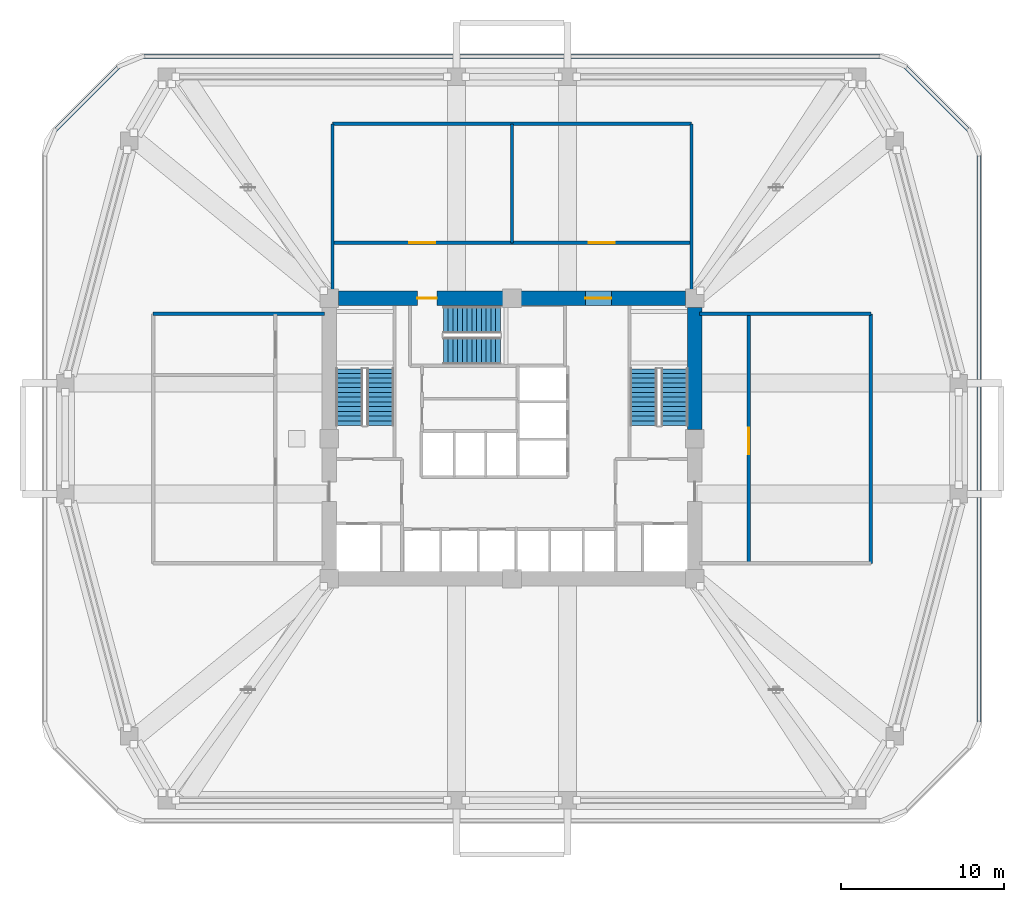
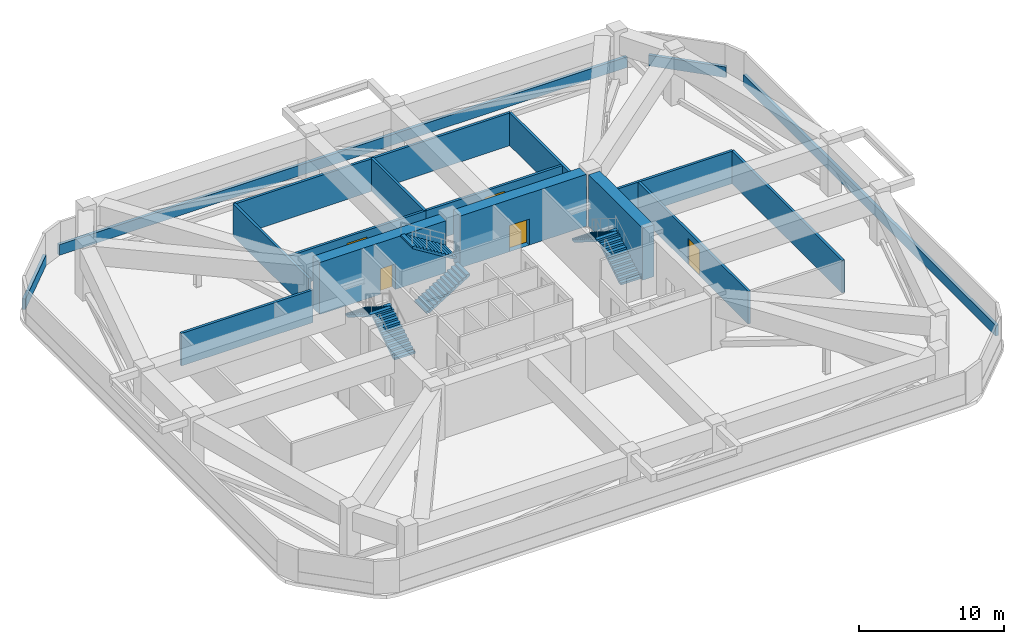
# One storey, part 6 of 10: 17 walls, 6 stair flights, 5 doors, 5 openings, 3 elements without a shape of their own.
"""IFC4 building model written with IfcOpenShell, lengths in metres."""

from ifc_helpers import new_model, si_unit, derived_unit, direction, frame, frame_2d, origin, place, context, subcontext, project, spatial, polyline, rectangle, outline, extrude, material, layer, layer_set, type_object, element, fill, aggregate, save


model = new_model("IFC4")

# Units and contexts
model_context = context("Model", 3, precision=1e-05, world=origin(), true_north=direction((0.0, 1.0)))
body_context = subcontext(model_context, "Body", "Model", "MODEL_VIEW")
ifc_project = project(units=[si_unit("LENGTHUNIT", "METRE"), si_unit("AREAUNIT", "SQUARE_METRE"), si_unit("VOLUMEUNIT", "CUBIC_METRE"), si_unit("PLANEANGLEUNIT", "RADIAN"), si_unit("MASSUNIT", "GRAM", prefix="KILO"), derived_unit("THERMALTRANSMITTANCEUNIT", [(si_unit("POWERUNIT", "WATT"), 1), (si_unit("LENGTHUNIT", "METRE"), -2), (si_unit("THERMODYNAMICTEMPERATUREUNIT", "KELVIN"), -1)])], contexts=[model_context])

# Site, building, storey
site_placement = place(None, origin())
site = spatial("IfcSite", under=ifc_project, at=site_placement, CompositionType="ELEMENT")
building_placement = place(site_placement, origin())
building = spatial("IfcBuilding", under=site, at=building_placement, Name="Koralith Skygarden Medical Center", CompositionType="ELEMENT")
storey_placement = place(building_placement, frame((0.0, 0.0, 70.739990234375)))
storey = spatial("IfcBuildingStorey", under=building, at=storey_placement, Name="L18", CompositionType="ELEMENT", Elevation=70.739990234375)

# Walls
ifc_material_1 = material(Name="Gypsum Board Partition")
ifc_layer_1 = layer(ifc_material_1, 0.199951171875)
ifc_layer_set_1 = layer_set([ifc_layer_1], Name="Gypsum Board Partition")
wall_type_1 = type_object("IfcWallType", Name="Fire Shaft Wall 200", PredefinedType="SOLIDWALL", material=ifc_layer_set_1)
for number, where, z_axis, x_axis, name in (
    (1, (26.0, 34.800048828125, 0.0), (0.0, 0.0, 1.0), (0.0, 1.0, 0.0), "L18 Fire Shaft Wall 200 W-PL-L18-NC-W"),
    (2, (48.0, 34.800048828125, 0.0), (0.0, 0.0, 1.0), (0.0, 1.0, 0.0), "L18 Fire Shaft Wall 200 W-PL-L18-NC-E"),
):
    element("IfcWall", number, at=place(storey_placement, frame(where, z_axis=z_axis, x_axis=x_axis)), inside=storey, type_object=wall_type_1, Name=name, PredefinedType="SOLIDWALL", context=body_context, shape_type="SweptSolid", body=[
        extrude(rectangle(XDim=10.39990234375, YDim=0.199951171875, at=frame_2d((5.199951171875, 0.0))), origin(), (0.0, 0.0, 1.0), 2.75),
    ])
wall_1_placement = place(storey_placement, frame((26.0, 45.199951171875, 0.0), z_axis=(0.0, 0.0, 1.0), x_axis=(1.0, 0.0, 0.0)))
element("IfcWall", 3, at=wall_1_placement, inside=storey, type_object=wall_type_1, Name="L18 Fire Shaft Wall 200 W-PL-L18-NP-N", PredefinedType="SOLIDWALL", context=body_context, shape_type="SweptSolid", body=[
    extrude(rectangle(XDim=22.0, YDim=0.199951171875, at=frame_2d((11.0, 0.0))), origin(), (0.0, 0.0, 1.0), 2.75),
])
wall_2_placement = place(storey_placement, frame((37.0, 37.89990234375, 0.0), z_axis=(0.0, 0.0, 1.0), x_axis=(0.0, 1.0, 0.0)))
element("IfcWall", 4, at=wall_2_placement, inside=storey, type_object=wall_type_1, Name="L18 Fire Shaft Wall 200 W-PL-L18-NP-M", PredefinedType="SOLIDWALL", context=body_context, shape_type="SweptSolid", body=[
    extrude(rectangle(XDim=7.300048828125, YDim=0.199951171875, at=frame_2d((3.64990234375, 0.0))), origin(), (0.0, 0.0, 1.0), 2.75),
])

# Wall, opening, door
wall_3_placement = place(storey_placement, frame((26.0, 37.89990234375, 0.0), z_axis=(0.0, 0.0, 1.0), x_axis=(1.0, 0.0, 0.0)))
wall_3 = element("IfcWall", 5, at=wall_3_placement, inside=storey, type_object=wall_type_1, Name="L18 Fire Shaft Wall 200 W-PL-L18-NC-N1", PredefinedType="SOLIDWALL", context=body_context, shape_type="SweptSolid", body=[
    extrude(rectangle(XDim=11.0, YDim=0.199951171875, at=frame_2d((5.5, 0.0))), origin(), (0.0, 0.0, 1.0), 2.75),
])
opening_1_placement = place(wall_3_placement, frame((4.699951171875, 0.0, 0.0)))
opening_1 = element("IfcOpeningElement", 6, at=opening_1_placement, cuts=wall_3, Name="Opening D-DBL", PredefinedType="OPENING", context=body_context, shape_type="SweptSolid", body=[
    extrude(rectangle(XDim=1.60009765625, YDim=2.199951171875, at=frame_2d((0.800048828125, 1.10009765625))), frame((0.0, 0.10986328125, 0.0), z_axis=(0.0, -1.0, 0.0), x_axis=(1.0, 0.0, 0.0)), (0.0, 0.0, 1.0), 0.219970703125),
])
ifc_material_2 = material(Name="Aluminium 6063-T6", Category="aluminium")
door_type_1 = type_object("IfcDoorType", Name="Double Clinical Suite Door D-DBL 1600", OperationType="NOTDEFINED", PredefinedType="DOOR", material=ifc_material_2)
door_1_placement = place(opening_1_placement, origin())
door_1 = element("IfcDoor", 7, at=door_1_placement, inside=storey, type_object=door_type_1, Name="L18 Central Chiller and Heat Rejection Plant Room Fire Door", OperationType="DOUBLE_DOOR_SINGLE_SWING", OverallHeight=2.199951171875, OverallWidth=1.60009765625, PredefinedType="DOOR", context=body_context, shape_type="SweptSolid", body=[
    extrude(rectangle(XDim=1.60009765625, YDim=2.199951171875, at=frame_2d((0.800048828125, 1.10009765625))), frame((0.0, 0.02490234375, 0.0), z_axis=(0.0, -1.0, 0.0), x_axis=(1.0, 0.0, 0.0)), (0.0, 0.0, 1.0), 0.050048828125),
])
fill(opening_1, door_1)

wall_4_placement = place(storey_placement, frame((37.0, 37.89990234375, 0.0), z_axis=(0.0, 0.0, 1.0), x_axis=(1.0, 0.0, 0.0)))
wall_4 = element("IfcWall", 8, at=wall_4_placement, inside=storey, type_object=wall_type_1, Name="L18 Fire Shaft Wall 200 W-PL-L18-NC-N2", PredefinedType="SOLIDWALL", context=body_context, shape_type="SweptSolid", body=[
    extrude(rectangle(XDim=11.0, YDim=0.199951171875, at=frame_2d((5.5, 0.0))), origin(), (0.0, 0.0, 1.0), 2.75),
])
opening_2_placement = place(wall_4_placement, frame((4.699951171875, 0.0, 0.0)))
opening_2 = element("IfcOpeningElement", 9, at=opening_2_placement, cuts=wall_4, Name="Opening D-DBL", PredefinedType="OPENING", context=body_context, shape_type="SweptSolid", body=[
    extrude(rectangle(XDim=1.60009765625, YDim=2.199951171875, at=frame_2d((0.800048828125, 1.10009765625))), frame((0.0, 0.10986328125, 0.0), z_axis=(0.0, -1.0, 0.0), x_axis=(1.0, 0.0, 0.0)), (0.0, 0.0, 1.0), 0.219970703125),
])
door_2_placement = place(opening_2_placement, origin())
door_2 = element("IfcDoor", 10, at=door_2_placement, inside=storey, type_object=door_type_1, Name="L18 Clinical AHU and Essential Switchgear Plant Room Fire Door", OperationType="DOUBLE_DOOR_SINGLE_SWING", OverallHeight=2.199951171875, OverallWidth=1.60009765625, PredefinedType="DOOR", context=body_context, shape_type="SweptSolid", body=[
    extrude(rectangle(XDim=1.60009765625, YDim=2.199951171875, at=frame_2d((0.800048828125, 1.10009765625))), frame((0.0, 0.02490234375, 0.0), z_axis=(0.0, -1.0, 0.0), x_axis=(1.0, 0.0, 0.0)), (0.0, 0.0, 1.0), 0.050048828125),
])
fill(opening_2, door_2)

# Walls
for number, where, z_axis, x_axis, name in (
    (11, (15.0, 33.550048828125, 0.0), (0.0, 0.0, 1.0), (1.0, 0.0, 0.0), "L18 Fire Shaft Wall 200 W-PL-L18-WC-N"),
    (12, (48.5, 33.550048828125, 0.0), (0.0, 0.0, 1.0), (1.0, 0.0, 0.0), "L18 Fire Shaft Wall 200 W-PL-L18-EC-N"),
):
    element("IfcWall", number, at=place(storey_placement, frame(where, z_axis=z_axis, x_axis=x_axis)), inside=storey, type_object=wall_type_1, Name=name, PredefinedType="SOLIDWALL", context=body_context, shape_type="SweptSolid", body=[
        extrude(rectangle(XDim=10.5, YDim=0.199951171875, at=frame_2d((5.25, 0.0))), origin(), (0.0, 0.0, 1.0), 2.75),
    ])
wall_5_placement = place(storey_placement, frame((59.0, 18.25, 0.0), z_axis=(0.0, 0.0, 1.0), x_axis=(0.0, 1.0, 0.0)))
element("IfcWall", 13, at=wall_5_placement, inside=storey, type_object=wall_type_1, Name="L18 Fire Shaft Wall 200 W-PL-L18-EP-E", PredefinedType="SOLIDWALL", context=body_context, shape_type="SweptSolid", body=[
    extrude(rectangle(XDim=15.300048828125, YDim=0.199951171875, at=frame_2d((7.64990234375, 0.0))), origin(), (0.0, 0.0, 1.0), 2.75),
])

# Wall, opening, door
wall_6_placement = place(storey_placement, frame((51.52001953125, 18.25, 0.0), z_axis=(0.0, 0.0, 1.0), x_axis=(0.0, 1.0, 0.0)))
wall_6 = element("IfcWall", 14, at=wall_6_placement, inside=storey, type_object=wall_type_1, Name="L18 Fire Shaft Wall 200 W-PL-L18-EC-E1", PredefinedType="SOLIDWALL", context=body_context, shape_type="SweptSolid", body=[
    extrude(rectangle(XDim=15.300048828125, YDim=0.199951171875, at=frame_2d((7.64990234375, 0.0))), origin(), (0.0, 0.0, 1.0), 2.75),
])
opening_3_placement = place(wall_6_placement, frame((6.699951171875, 0.0, 0.0)))
opening_3 = element("IfcOpeningElement", 15, at=opening_3_placement, cuts=wall_6, Name="Opening D-DBL", PredefinedType="OPENING", context=body_context, shape_type="SweptSolid", body=[
    extrude(rectangle(XDim=1.60009765625, YDim=2.199951171875, at=frame_2d((0.800048828125, 1.10009765625))), frame((0.0, 0.10986328125, 0.0), z_axis=(0.0, -1.0, 0.0), x_axis=(1.0, 0.0, 0.0)), (0.0, 0.0, 1.0), 0.219970703125),
])
door_3_placement = place(opening_3_placement, origin())
door_3 = element("IfcDoor", 16, at=door_3_placement, inside=storey, type_object=door_type_1, Name="L18 East Pressurized Smoke Refuge Area Fire Door", OperationType="DOUBLE_DOOR_SINGLE_SWING", OverallHeight=2.199951171875, OverallWidth=1.60009765625, PredefinedType="DOOR", context=body_context, shape_type="SweptSolid", body=[
    extrude(rectangle(XDim=1.60009765625, YDim=2.199951171875, at=frame_2d((0.800048828125, 1.10009765625))), frame((0.0, 0.02490234375, 0.0), z_axis=(0.0, -1.0, 0.0), x_axis=(1.0, 0.0, 0.0)), (0.0, 0.0, 1.0), 0.050048828125),
])
fill(opening_3, door_3)

# Walls
ifc_material_3 = material(Name="Warm Oolitic Limestone Cladding", Category="masonry")
ifc_layer_2 = layer(ifc_material_3, 0.239990234375)
ifc_layer_set_2 = layer_set([ifc_layer_2], Name="Warm Oolitic Limestone Cladding")
wall_type_2 = type_object("IfcWallType", Name="Limestone Spandrel Sill Backup Wall 240", PredefinedType="SOLIDWALL", material=ifc_layer_set_2)
wall_7_placement = place(storey_placement, frame((65.6201171875, 8.455078125, 0.0), z_axis=(0.0, 0.0, 1.0), x_axis=(0.0, 1.0, 0.0)))
element("IfcWall", 17, at=wall_7_placement, inside=storey, type_object=wall_type_2, Name="L18 Plant Sill Backup Wall E", PredefinedType="SOLIDWALL", context=body_context, shape_type="SweptSolid", body=[
    extrude(rectangle(XDim=34.889892578125, YDim=0.239990234375, at=frame_2d((17.44482421875, 0.0))), origin(), (0.0, 0.0, 1.0), 0.89990234375),
])
wall_8_placement = place(storey_placement, frame((65.01904296875, 44.7958984375, 0.0), z_axis=(0.0, 0.0, 1.0), x_axis=(-0.707106781187, 0.707106781187, 0.0)))
element("IfcWall", 18, at=wall_8_placement, inside=storey, type_object=wall_type_2, Name="L18 Plant Sill Backup Wall NE", PredefinedType="SOLIDWALL", context=body_context, shape_type="SweptSolid", body=[
    extrude(rectangle(XDim=5.548095703125, YDim=0.239990234375, at=frame_2d((2.77392578125, 0.0))), origin(), (0.0, 0.0, 1.0), 0.89990234375),
])
wall_9_placement = place(storey_placement, frame((59.64501953125, 49.320068359375, 0.0), z_axis=(0.0, 0.0, 1.0), x_axis=(-1.0, 0.0, 0.0)))
element("IfcWall", 19, at=wall_9_placement, inside=storey, type_object=wall_type_2, Name="L18 Plant Sill Backup Wall N", PredefinedType="SOLIDWALL", context=body_context, shape_type="SweptSolid", body=[
    extrude(rectangle(XDim=45.2900390625, YDim=0.239990234375, at=frame_2d((22.64501953125, 0.0))), origin(), (0.0, 0.0, 1.0), 0.89990234375),
])
wall_10_placement = place(storey_placement, frame((12.904052734375, 48.718994140625, 0.0), z_axis=(0.0, 0.0, 1.0), x_axis=(-0.707106781187, -0.707106781187, 0.0)))
element("IfcWall", 20, at=wall_10_placement, inside=storey, type_object=wall_type_2, Name="L18 Plant Sill Backup Wall NW", PredefinedType="SOLIDWALL", context=body_context, shape_type="SweptSolid", body=[
    extrude(rectangle(XDim=5.548095703125, YDim=0.239990234375, at=frame_2d((2.77392578125, 0.0))), origin(), (0.0, 0.0, 1.0), 0.89990234375),
])
ifc_material_4 = material(Name="Concrete C70/85", Category="concrete")
ifc_layer_3 = layer(ifc_material_4, 0.89990234375)
ifc_layer_set_3 = layer_set([ifc_layer_3], Name="Concrete C70/85")
wall_type_3 = type_object("IfcWallType", Name="Lower Core Shear Wall 900", PredefinedType="SHEAR", material=ifc_layer_set_3)
wall_11_placement = place(storey_placement, frame((48.199951171875, 26.465087890625, 0.0), z_axis=(0.0, 0.0, 1.0), x_axis=(0.0, 1.0, 0.0)))
element("IfcWall", 21, at=wall_11_placement, inside=storey, type_object=wall_type_3, Name="L18 Core Shear Wall Segment 4", PredefinedType="SHEAR", context=body_context, shape_type="SweptSolid", body=[
    extrude(rectangle(XDim=7.469970703125, YDim=0.89990234375, at=frame_2d((3.73486328125, 0.0))), origin(), (0.0, 0.0, 1.0), 4.380126953125),
])

# Wall, opening, door
wall_12_placement = place(storey_placement, frame((47.635009765625, 34.5, 0.0), z_axis=(0.0, 0.0, 1.0), x_axis=(-1.0, 0.0, 0.0)))
wall_12 = element("IfcWall", 22, at=wall_12_placement, inside=storey, type_object=wall_type_3, Name="L18 Core Shear Wall Segment 5", PredefinedType="SHEAR", context=body_context, shape_type="SweptSolid", body=[
    extrude(rectangle(XDim=10.070068359375, YDim=0.89990234375, at=frame_2d((5.03515625, 0.0))), origin(), (0.0, 0.0, 1.0), 4.380126953125),
])
opening_4_placement = place(wall_12_placement, frame((4.534912109375, 0.0, 0.0)))
opening_4 = element("IfcOpeningElement", 23, at=opening_4_placement, cuts=wall_12, Name="Opening D-DBL", PredefinedType="OPENING", context=body_context, shape_type="SweptSolid", body=[
    extrude(rectangle(XDim=1.60009765625, YDim=2.199951171875, at=frame_2d((0.800048828125, 1.10009765625))), frame((0.0, 0.4599609375, 0.0), z_axis=(0.0, -1.0, 0.0), x_axis=(1.0, 0.0, 0.0)), (0.0, 0.0, 1.0), 0.919921875),
])
door_4_placement = place(opening_4_placement, frame((1.60009765625, 0.0, 0.0), z_axis=(0.0, 0.0, 1.0), x_axis=(-1.0, 0.0, 0.0)))
door_4 = element("IfcDoor", 24, at=door_4_placement, inside=storey, type_object=door_type_1, Name="L18 North-East Corridor to Elevator Lobby Door", OperationType="DOUBLE_DOOR_SINGLE_SWING", OverallHeight=2.199951171875, OverallWidth=1.60009765625, PredefinedType="DOOR", context=body_context, shape_type="SweptSolid", body=[
    extrude(rectangle(XDim=1.60009765625, YDim=2.199951171875, at=frame_2d((0.800048828125, 1.10009765625))), frame((0.0, 0.02490234375, 0.0), z_axis=(0.0, -1.0, 0.0), x_axis=(1.0, 0.0, 0.0)), (0.0, 0.0, 1.0), 0.050048828125),
])
fill(opening_4, door_4)

wall_13_placement = place(storey_placement, frame((36.43505859375, 34.5, 0.0), z_axis=(0.0, 0.0, 1.0), x_axis=(-1.0, 0.0, 0.0)))
wall_13 = element("IfcWall", 25, at=wall_13_placement, inside=storey, type_object=wall_type_3, Name="L18 Core Shear Wall Segment 6", PredefinedType="SHEAR", context=body_context, shape_type="SweptSolid", body=[
    extrude(rectangle(XDim=10.070068359375, YDim=0.89990234375, at=frame_2d((5.03515625, 0.0))), origin(), (0.0, 0.0, 1.0), 4.380126953125),
])
opening_5_placement = place(wall_13_placement, frame((4.034912109375, 0.0, 0.0)))
opening_5 = element("IfcOpeningElement", 26, at=opening_5_placement, cuts=wall_13, Name="Opening D-ST60", PredefinedType="OPENING", context=body_context, shape_type="SweptSolid", body=[
    extrude(rectangle(XDim=1.199951171875, YDim=2.14990234375, at=frame_2d((0.60009765625, 1.074951171875))), frame((0.0, 0.4599609375, 0.0), z_axis=(0.0, -1.0, 0.0), x_axis=(1.0, 0.0, 0.0)), (0.0, 0.0, 1.0), 0.919921875),
])
ifc_material_5 = material(Name="Steel ASTM A500 Grade C", Category="steel")
door_type_2 = type_object("IfcDoorType", Name="Smokeproof Stair Fire Door FD60S 1200", OperationType="NOTDEFINED", PredefinedType="DOOR", material=ifc_material_5)
door_5_placement = place(opening_5_placement, frame((1.199951171875, 0.0, 0.0), z_axis=(0.0, 0.0, 1.0), x_axis=(-1.0, 0.0, 0.0)))
door_5 = element("IfcDoor", 27, at=door_5_placement, inside=storey, type_object=door_type_2, Name="L18 Exit Stair ST3 Fire Door", OperationType="SINGLE_SWING_LEFT", OverallHeight=2.14990234375, OverallWidth=1.199951171875, PredefinedType="DOOR", context=body_context, shape_type="SweptSolid", body=[
    extrude(rectangle(XDim=1.199951171875, YDim=2.14990234375, at=frame_2d((0.60009765625, 1.074951171875))), frame((0.0, 0.02490234375, 0.0), z_axis=(0.0, -1.0, 0.0), x_axis=(1.0, 0.0, 0.0)), (0.0, 0.0, 1.0), 0.050048828125),
])
fill(opening_5, door_5)

# Stair, stair flights
ifc_material_6 = material(Name="Concrete C45/55", Category="concrete")
stair_type = type_object("IfcStairType", Name="Core Exit Dogleg Concrete Stair", PredefinedType="HALF_TURN_STAIR", material=ifc_material_6)
stair_1_placement = place(storey_placement, origin())
stair_1 = element("IfcStair", 28, at=stair_1_placement, inside=storey, type_object=stair_type, Name="L18 Smokeproof Exit Stair ST1", PredefinedType="HALF_TURN_STAIR")
stair_flight_type = type_object("IfcStairFlightType", Name="Core Exit Concrete Stair Flight 1650", PredefinedType="STRAIGHT", material=ifc_material_6)
stair_flight_1_placement = place(storey_placement, frame((28.925048828125, 26.699951171875, 0.0), z_axis=(0.0, 0.0, 1.0), x_axis=(0.0, 1.0, 0.0)))
stair_flight_1 = element("IfcStairFlight", 29, at=stair_flight_1_placement, type_object=stair_flight_type, Name="ST1 flight 1", NumberOfRisers=13, NumberOfTreads=12, PredefinedType="STRAIGHT", RiserHeight=0.18, TreadLength=0.29, context=body_context, shape_type="SweptSolid", body=[
    extrude(outline(polyline([(0.0, 0.0), (0.0, 0.179931640625), (0.2900390625, 0.179931640625), (0.2900390625, 0.360107421875), (0.580078125, 0.360107421875), (0.580078125, 0.5400390625), (0.8701171875, 0.5400390625), (0.8701171875, 0.719970703125), (1.159912109375, 0.719970703125), (1.159912109375, 0.89990234375), (1.449951171875, 0.89990234375), (1.449951171875, 1.080078125), (1.739990234375, 1.080078125), (1.739990234375, 1.260009765625), (2.030029296875, 1.260009765625), (2.030029296875, 1.43994140625), (2.320068359375, 1.43994140625), (2.320068359375, 1.6201171875), (2.610107421875, 1.6201171875), (2.610107421875, 1.800048828125), (2.89990234375, 1.800048828125), (2.89990234375, 1.97998046875), (3.18994140625, 1.97998046875), (3.18994140625, 2.159912109375), (3.47998046875, 2.159912109375), (3.47998046875, 2.340087890625), (3.47998046875, 1.983642578125), (0.2841796875, 0.0), (0.0, 0.0)])), frame((0.0, 0.824951171875, 0.0), z_axis=(0.0, -1.0, 0.0), x_axis=(1.0, 0.0, 0.0)), (0.0, 0.0, 1.0), 1.64990234375),
])
stair_flight_2_placement = place(storey_placement, frame((27.02490234375, 30.179931640625, 2.340087890625), z_axis=(0.0, 0.0, 1.0), x_axis=(0.0, -1.0, 0.0)))
stair_flight_2 = element("IfcStairFlight", 30, at=stair_flight_2_placement, type_object=stair_flight_type, Name="ST1 flight 2", NumberOfRisers=13, NumberOfTreads=12, PredefinedType="STRAIGHT", RiserHeight=0.18, TreadLength=0.29, context=body_context, shape_type="SweptSolid", body=[
    extrude(outline(polyline([(0.0, 0.0), (0.0, 0.179931640625), (0.2900390625, 0.179931640625), (0.2900390625, 0.360107421875), (0.580078125, 0.360107421875), (0.580078125, 0.5400390625), (0.8701171875, 0.5400390625), (0.8701171875, 0.719970703125), (1.159912109375, 0.719970703125), (1.159912109375, 0.89990234375), (1.449951171875, 0.89990234375), (1.449951171875, 1.080078125), (1.739990234375, 1.080078125), (1.739990234375, 1.260009765625), (2.030029296875, 1.260009765625), (2.030029296875, 1.43994140625), (2.320068359375, 1.43994140625), (2.320068359375, 1.6201171875), (2.610107421875, 1.6201171875), (2.610107421875, 1.800048828125), (2.89990234375, 1.800048828125), (2.89990234375, 1.97998046875), (3.18994140625, 1.97998046875), (3.18994140625, 2.159912109375), (3.47998046875, 2.159912109375), (3.47998046875, 2.340087890625), (3.47998046875, 1.983642578125), (0.2841796875, 0.0), (0.0, 0.0)])), frame((0.0, 0.824951171875, 0.0), z_axis=(0.0, -1.0, 0.0), x_axis=(1.0, 0.0, 0.0)), (0.0, 0.0, 1.0), 1.64990234375),
])
aggregate(stair_1, [stair_flight_1, stair_flight_2])

stair_2_placement = place(storey_placement, origin())
stair_2 = element("IfcStair", 31, at=stair_2_placement, inside=storey, type_object=stair_type, Name="L18 Smokeproof Exit Stair ST2", PredefinedType="HALF_TURN_STAIR")
stair_flight_3_placement = place(storey_placement, frame((46.97509765625, 26.699951171875, 0.0), z_axis=(0.0, 0.0, 1.0), x_axis=(0.0, 1.0, 0.0)))
stair_flight_3 = element("IfcStairFlight", 32, at=stair_flight_3_placement, type_object=stair_flight_type, Name="ST2 flight 1", NumberOfRisers=13, NumberOfTreads=12, PredefinedType="STRAIGHT", RiserHeight=0.18, TreadLength=0.29, context=body_context, shape_type="SweptSolid", body=[
    extrude(outline(polyline([(0.0, 0.0), (0.0, 0.179931640625), (0.2900390625, 0.179931640625), (0.2900390625, 0.360107421875), (0.580078125, 0.360107421875), (0.580078125, 0.5400390625), (0.8701171875, 0.5400390625), (0.8701171875, 0.719970703125), (1.159912109375, 0.719970703125), (1.159912109375, 0.89990234375), (1.449951171875, 0.89990234375), (1.449951171875, 1.080078125), (1.739990234375, 1.080078125), (1.739990234375, 1.260009765625), (2.030029296875, 1.260009765625), (2.030029296875, 1.43994140625), (2.320068359375, 1.43994140625), (2.320068359375, 1.6201171875), (2.610107421875, 1.6201171875), (2.610107421875, 1.800048828125), (2.89990234375, 1.800048828125), (2.89990234375, 1.97998046875), (3.18994140625, 1.97998046875), (3.18994140625, 2.159912109375), (3.47998046875, 2.159912109375), (3.47998046875, 2.340087890625), (3.47998046875, 1.983642578125), (0.2841796875, 0.0), (0.0, 0.0)])), frame((0.0, 0.824951171875, 0.0), z_axis=(0.0, -1.0, 0.0), x_axis=(1.0, 0.0, 0.0)), (0.0, 0.0, 1.0), 1.64990234375),
])
stair_flight_4_placement = place(storey_placement, frame((45.074951171875, 30.179931640625, 2.340087890625), z_axis=(0.0, 0.0, 1.0), x_axis=(0.0, -1.0, 0.0)))
stair_flight_4 = element("IfcStairFlight", 33, at=stair_flight_4_placement, type_object=stair_flight_type, Name="ST2 flight 2", NumberOfRisers=13, NumberOfTreads=12, PredefinedType="STRAIGHT", RiserHeight=0.18, TreadLength=0.29, context=body_context, shape_type="SweptSolid", body=[
    extrude(outline(polyline([(0.0, 0.0), (0.0, 0.179931640625), (0.2900390625, 0.179931640625), (0.2900390625, 0.360107421875), (0.580078125, 0.360107421875), (0.580078125, 0.5400390625), (0.8701171875, 0.5400390625), (0.8701171875, 0.719970703125), (1.159912109375, 0.719970703125), (1.159912109375, 0.89990234375), (1.449951171875, 0.89990234375), (1.449951171875, 1.080078125), (1.739990234375, 1.080078125), (1.739990234375, 1.260009765625), (2.030029296875, 1.260009765625), (2.030029296875, 1.43994140625), (2.320068359375, 1.43994140625), (2.320068359375, 1.6201171875), (2.610107421875, 1.6201171875), (2.610107421875, 1.800048828125), (2.89990234375, 1.800048828125), (2.89990234375, 1.97998046875), (3.18994140625, 1.97998046875), (3.18994140625, 2.159912109375), (3.47998046875, 2.159912109375), (3.47998046875, 2.340087890625), (3.47998046875, 1.983642578125), (0.2841796875, 0.0), (0.0, 0.0)])), frame((0.0, 0.824951171875, 0.0), z_axis=(0.0, -1.0, 0.0), x_axis=(1.0, 0.0, 0.0)), (0.0, 0.0, 1.0), 1.64990234375),
])
aggregate(stair_2, [stair_flight_3, stair_flight_4])

stair_3_placement = place(storey_placement, origin())
stair_3 = element("IfcStair", 34, at=stair_3_placement, inside=storey, type_object=stair_type, Name="L18 Smokeproof Exit Stair ST3", PredefinedType="HALF_TURN_STAIR")
stair_flight_5_placement = place(storey_placement, frame((32.800048828125, 31.27490234375, 0.0), z_axis=(0.0, 0.0, 1.0), x_axis=(1.0, 0.0, 0.0)))
stair_flight_5 = element("IfcStairFlight", 35, at=stair_flight_5_placement, type_object=stair_flight_type, Name="ST3 flight 1", NumberOfRisers=13, NumberOfTreads=12, PredefinedType="STRAIGHT", RiserHeight=0.18, TreadLength=0.29, context=body_context, shape_type="SweptSolid", body=[
    extrude(outline(polyline([(0.0, 0.0), (0.0, 0.179931640625), (0.2900390625, 0.179931640625), (0.2900390625, 0.360107421875), (0.580078125, 0.360107421875), (0.580078125, 0.5400390625), (0.8701171875, 0.5400390625), (0.8701171875, 0.719970703125), (1.159912109375, 0.719970703125), (1.159912109375, 0.89990234375), (1.449951171875, 0.89990234375), (1.449951171875, 1.080078125), (1.739990234375, 1.080078125), (1.739990234375, 1.260009765625), (2.030029296875, 1.260009765625), (2.030029296875, 1.43994140625), (2.320068359375, 1.43994140625), (2.320068359375, 1.6201171875), (2.610107421875, 1.6201171875), (2.610107421875, 1.800048828125), (2.89990234375, 1.800048828125), (2.89990234375, 1.97998046875), (3.18994140625, 1.97998046875), (3.18994140625, 2.159912109375), (3.47998046875, 2.159912109375), (3.47998046875, 2.340087890625), (3.47998046875, 1.983642578125), (0.2841796875, 0.0), (0.0, 0.0)])), frame((0.0, 0.824951171875, 0.0), z_axis=(0.0, -1.0, 0.0), x_axis=(1.0, 0.0, 0.0)), (0.0, 0.0, 1.0), 1.64990234375),
])
stair_flight_6_placement = place(storey_placement, frame((36.280029296875, 33.175048828125, 2.340087890625), z_axis=(0.0, 0.0, 1.0), x_axis=(-1.0, 0.0, 0.0)))
stair_flight_6 = element("IfcStairFlight", 36, at=stair_flight_6_placement, type_object=stair_flight_type, Name="ST3 flight 2", NumberOfRisers=13, NumberOfTreads=12, PredefinedType="STRAIGHT", RiserHeight=0.18, TreadLength=0.29, context=body_context, shape_type="SweptSolid", body=[
    extrude(outline(polyline([(0.0, 0.0), (0.0, 0.179931640625), (0.2900390625, 0.179931640625), (0.2900390625, 0.360107421875), (0.580078125, 0.360107421875), (0.580078125, 0.5400390625), (0.8701171875, 0.5400390625), (0.8701171875, 0.719970703125), (1.159912109375, 0.719970703125), (1.159912109375, 0.89990234375), (1.449951171875, 0.89990234375), (1.449951171875, 1.080078125), (1.739990234375, 1.080078125), (1.739990234375, 1.260009765625), (2.030029296875, 1.260009765625), (2.030029296875, 1.43994140625), (2.320068359375, 1.43994140625), (2.320068359375, 1.6201171875), (2.610107421875, 1.6201171875), (2.610107421875, 1.800048828125), (2.89990234375, 1.800048828125), (2.89990234375, 1.97998046875), (3.18994140625, 1.97998046875), (3.18994140625, 2.159912109375), (3.47998046875, 2.159912109375), (3.47998046875, 2.340087890625), (3.47998046875, 1.983642578125), (0.2841796875, 0.0), (0.0, 0.0)])), frame((0.0, 0.824951171875, 0.0), z_axis=(0.0, -1.0, 0.0), x_axis=(1.0, 0.0, 0.0)), (0.0, 0.0, 1.0), 1.64990234375),
])
aggregate(stair_3, [stair_flight_5, stair_flight_6])

save(model, "model.ifc")
